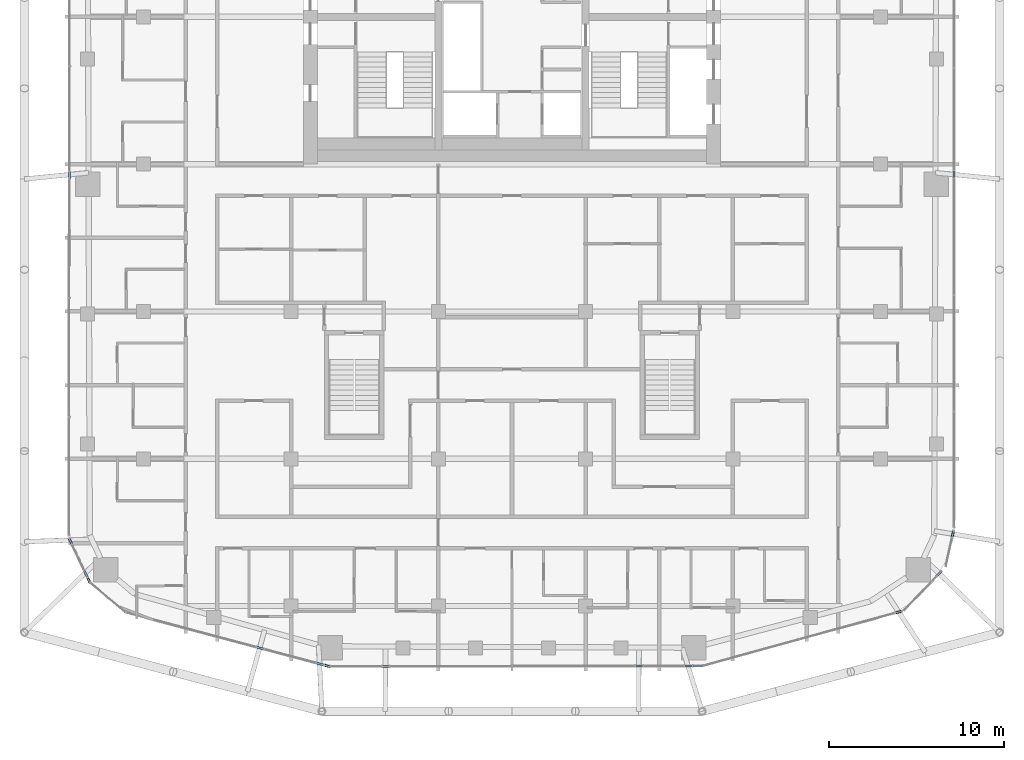
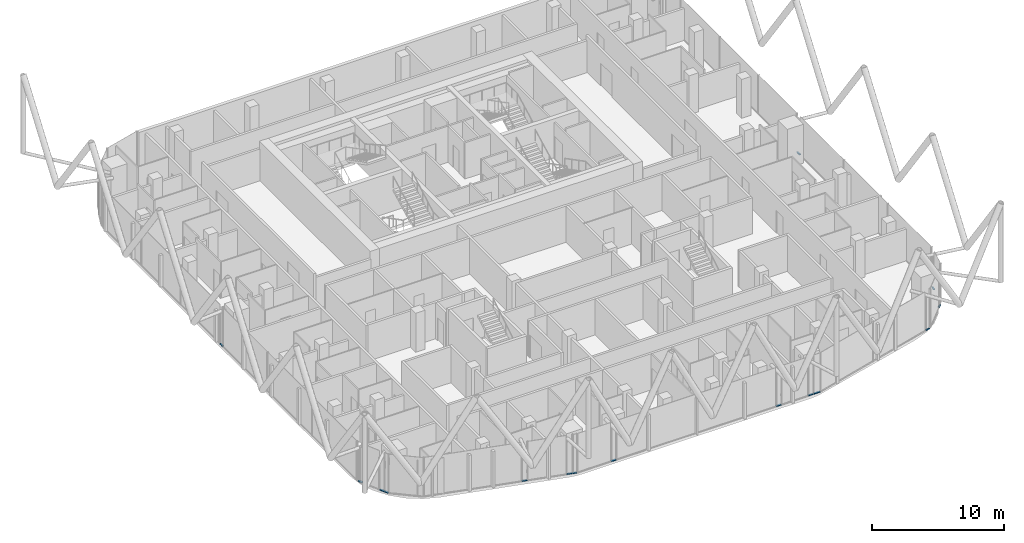
# One storey, part 12 of 31: 15 members, 15 elements without a shape of their own.
"""IFC4 building model written with IfcOpenShell, lengths in metres."""

from ifc_helpers import new_model, si_unit, direction, frame, origin, origin_2d, place, context, subcontext, project, spatial, rectangle, extrude, material, layer, layer_set, material_profile, profile_set, type_object, element, aggregate, save


model = new_model("IFC4")

# Units and contexts
model_context = context("Model", 3, precision=1e-05, world=origin(), true_north=direction((0.0, 1.0)))
body_context = subcontext(model_context, "Body", "Model", "MODEL_VIEW")
ifc_project = project(units=[si_unit("LENGTHUNIT", "METRE"), si_unit("AREAUNIT", "SQUARE_METRE"), si_unit("VOLUMEUNIT", "CUBIC_METRE"), si_unit("PLANEANGLEUNIT", "RADIAN"), si_unit("MASSUNIT", "GRAM", prefix="KILO")], contexts=[model_context])

# Site, building, storey
site_placement = place(None, origin())
site = spatial("IfcSite", under=ifc_project, at=site_placement, CompositionType="ELEMENT")
building_placement = place(site_placement, origin())
building = spatial("IfcBuilding", under=site, at=building_placement, Name="Marenta Gate Hotel Tower", CompositionType="ELEMENT")
storey_placement = place(building_placement, frame((0.0, 0.0, 220.10009765625)))
storey = spatial("IfcBuildingStorey", under=building, at=storey_placement, Name="L51", CompositionType="ELEMENT", Elevation=220.10009765625)

# Curtain wall, member
ifc_material_1 = material(Name="Tinted insulated glass in bronze anodised frame", Category="glass")
ifc_layer = layer(ifc_material_1, 0.1201171875)
ifc_layer_set = layer_set([ifc_layer], Name="Tinted insulated glass in bronze anodised frame")
curtain_wall_type = type_object("IfcCurtainWallType", Name="Tower unitised curtain wall CW1", PredefinedType="NOTDEFINED", material=ifc_layer_set)
curtain_wall_1_placement = place(storey_placement, origin())
curtain_wall_1 = element("IfcCurtainWall", 1, at=curtain_wall_1_placement, inside=storey, type_object=curtain_wall_type, Name="CW1 run G07", PredefinedType="NOTDEFINED")
ifc_material_2 = material(Name="Bronze anodised aluminium", Category="aluminium")
ifc_material_profile = material_profile(ifc_material_2, rectangle(XDim=0.1201171875, YDim=0.06005859375, at=origin_2d()), Name="Transom CW1 60x120 bronze anodised aluminium")
ifc_profile_set = profile_set([ifc_material_profile], Name="Bronze anodised aluminium")
member_type = type_object("IfcMemberType", Name="Transom CW1 60x120 bronze anodised aluminium", PredefinedType="USERDEFINED", material=ifc_profile_set)
member_1_placement = place(storey_placement, frame((-25.240478515625, -0.430419921875, 0.02978515625), z_axis=(-0.001235329508, -0.99999923698, 0.0), x_axis=(0.99999923698, -0.001235329508, 0.0)))
member_1 = element("IfcMember", 2, at=member_1_placement, type_object=member_type, Name="CW1 transom 1.1", ObjectType="TRANSOM", PredefinedType="USERDEFINED", context=body_context, shape_type="SweptSolid", body=[
    extrude(rectangle(XDim=0.1201171875, YDim=0.06005859375, at=origin_2d()), origin(), (0.0, 0.0, 1.0), 0.395263671875),
])
aggregate(curtain_wall_1, [member_1])

curtain_wall_2_placement = place(storey_placement, origin())
curtain_wall_2 = element("IfcCurtainWall", 3, at=curtain_wall_2_placement, inside=storey, type_object=curtain_wall_type, Name="CW1 run G09", PredefinedType="NOTDEFINED")
member_2_placement = place(storey_placement, frame((-25.24755859375, -21.34814453125, 0.02978515625), z_axis=(0.423272916218, -0.906002228693, 0.0), x_axis=(0.906002228693, 0.423272916218, 0.0)))
member_2 = element("IfcMember", 4, at=member_2_placement, type_object=member_type, Name="CW1 transom 1.1", ObjectType="TRANSOM", PredefinedType="USERDEFINED", context=body_context, shape_type="SweptSolid", body=[
    extrude(rectangle(XDim=0.1201171875, YDim=0.06005859375, at=origin_2d()), origin(), (0.0, 0.0, 1.0), 0.344970703125),
])
aggregate(curtain_wall_2, [member_2])

curtain_wall_3_placement = place(storey_placement, origin())
curtain_wall_3 = element("IfcCurtainWall", 5, at=curtain_wall_3_placement, inside=storey, type_object=curtain_wall_type, Name="CW1 run G11", PredefinedType="NOTDEFINED")
member_3_placement = place(storey_placement, frame((-24.406005859375, -23.149169921875, 0.02978515625), z_axis=(0.42333108841, -0.905975049097, 0.0), x_axis=(0.905975049097, 0.42333108841, 0.0)))
member_3 = element("IfcMember", 6, at=member_3_placement, type_object=member_type, Name="CW1 transom 1.1", ObjectType="TRANSOM", PredefinedType="USERDEFINED", context=body_context, shape_type="SweptSolid", body=[
    extrude(rectangle(XDim=0.1201171875, YDim=0.06005859375, at=origin_2d()), origin(), (0.0, 0.0, 1.0), 0.419921875),
])
aggregate(curtain_wall_3, [member_3])

curtain_wall_4_placement = place(storey_placement, origin())
curtain_wall_4 = element("IfcCurtainWall", 7, at=curtain_wall_4_placement, inside=storey, type_object=curtain_wall_type, Name="CW1 run G12", PredefinedType="NOTDEFINED")
member_4_placement = place(storey_placement, frame((-24.202880859375, -23.583740234375, 0.02978515625), z_axis=(0.422602733719, -0.90631502771, 0.0), x_axis=(0.90631502771, 0.422602733719, 0.0)))
member_4 = element("IfcMember", 8, at=member_4_placement, type_object=member_type, Name="CW1 transom 1.1", ObjectType="TRANSOM", PredefinedType="USERDEFINED", context=body_context, shape_type="SweptSolid", body=[
    extrude(rectangle(XDim=0.1201171875, YDim=0.06005859375, at=origin_2d()), origin(), (0.0, 0.0, 1.0), 0.28369140625),
])
aggregate(curtain_wall_4, [member_4])

curtain_wall_5_placement = place(storey_placement, origin())
curtain_wall_5 = element("IfcCurtainWall", 9, at=curtain_wall_5_placement, inside=storey, type_object=curtain_wall_type, Name="CW1 run G15", PredefinedType="NOTDEFINED")
member_5_placement = place(storey_placement, frame((-14.55029296875, -27.544677734375, 0.02978515625), z_axis=(0.966379102199, -0.257121432076, 0.0), x_axis=(0.257121432076, 0.966379102199, 0.0)))
member_5 = element("IfcMember", 10, at=member_5_placement, type_object=member_type, Name="CW1 transom 1.1", ObjectType="TRANSOM", PredefinedType="USERDEFINED", context=body_context, shape_type="SweptSolid", body=[
    extrude(rectangle(XDim=0.1201171875, YDim=0.06005859375, at=origin_2d()), origin(), (0.0, 0.0, 1.0), 0.39306640625),
])
aggregate(curtain_wall_5, [member_5])

curtain_wall_6_placement = place(storey_placement, origin())
curtain_wall_6 = element("IfcCurtainWall", 11, at=curtain_wall_6_placement, inside=storey, type_object=curtain_wall_type, Name="CW1 run G17", PredefinedType="NOTDEFINED")
member_6_placement = place(storey_placement, frame((-11.14599609375, -28.450439453125, 0.02978515625), z_axis=(0.966371226399, -0.257151031083, 0.0), x_axis=(0.257151031083, 0.966371226399, 0.0)))
member_6 = element("IfcMember", 12, at=member_6_placement, type_object=member_type, Name="CW1 transom 1.1", ObjectType="TRANSOM", PredefinedType="USERDEFINED", context=body_context, shape_type="SweptSolid", body=[
    extrude(rectangle(XDim=0.1201171875, YDim=0.06005859375, at=origin_2d()), origin(), (0.0, 0.0, 1.0), 0.415771484375),
])
aggregate(curtain_wall_6, [member_6])

curtain_wall_7_placement = place(storey_placement, origin())
curtain_wall_7 = element("IfcCurtainWall", 13, at=curtain_wall_7_placement, inside=storey, type_object=curtain_wall_type, Name="CW1 run G18", PredefinedType="NOTDEFINED")
member_7_placement = place(storey_placement, frame((-10.686279296875, -28.57275390625, 0.02978515625), z_axis=(0.966262873917, -0.257557874058, 0.0), x_axis=(0.257557874058, 0.966262873917, 0.0)))
member_7 = element("IfcMember", 14, at=member_7_placement, type_object=member_type, Name="CW1 transom 1.1", ObjectType="TRANSOM", PredefinedType="USERDEFINED", context=body_context, shape_type="SweptSolid", body=[
    extrude(rectangle(XDim=0.1201171875, YDim=0.06005859375, at=origin_2d()), origin(), (0.0, 0.0, 1.0), 0.2900390625),
])
aggregate(curtain_wall_7, [member_7])

curtain_wall_8_placement = place(storey_placement, origin())
curtain_wall_8 = element("IfcCurtainWall", 15, at=curtain_wall_8_placement, inside=storey, type_object=curtain_wall_type, Name="CW1 run G20", PredefinedType="NOTDEFINED")
member_8_placement = place(storey_placement, frame((-7.3828125, -28.642578125, 0.02978515625), z_axis=(0.99999826396, 0.001863350802, 0.0), x_axis=(-0.001863350802, 0.99999826396, 0.0)))
member_8 = element("IfcMember", 16, at=member_8_placement, type_object=member_type, Name="CW1 transom 1.1", ObjectType="TRANSOM", PredefinedType="USERDEFINED", context=body_context, shape_type="SweptSolid", body=[
    extrude(rectangle(XDim=0.1201171875, YDim=0.06005859375, at=origin_2d()), origin(), (0.0, 0.0, 1.0), 0.39306640625),
])
aggregate(curtain_wall_8, [member_8])

curtain_wall_9_placement = place(storey_placement, origin())
curtain_wall_9 = element("IfcCurtainWall", 17, at=curtain_wall_9_placement, inside=storey, type_object=curtain_wall_type, Name="CW1 run G22", PredefinedType="NOTDEFINED")
member_9_placement = place(storey_placement, frame((7.0693359375, -28.618896484375, 0.02978515625), z_axis=(0.99999826396, 0.001863350802, 0.0), x_axis=(-0.001863350802, 0.99999826396, 0.0)))
member_9 = element("IfcMember", 18, at=member_9_placement, type_object=member_type, Name="CW1 transom 1.1", ObjectType="TRANSOM", PredefinedType="USERDEFINED", context=body_context, shape_type="SweptSolid", body=[
    extrude(rectangle(XDim=0.1201171875, YDim=0.06005859375, at=origin_2d()), origin(), (0.0, 0.0, 1.0), 0.39306640625),
])
aggregate(curtain_wall_9, [member_9])

curtain_wall_10_placement = place(storey_placement, origin())
curtain_wall_10 = element("IfcCurtainWall", 19, at=curtain_wall_10_placement, inside=storey, type_object=curtain_wall_type, Name="CW1 run G24", PredefinedType="NOTDEFINED")
member_10_placement = place(storey_placement, frame((9.85498046875, -28.6142578125, 0.02978515625), z_axis=(0.9999984374, 0.001767822812, 0.0), x_axis=(-0.001767822812, 0.9999984374, 0.0)))
member_10 = element("IfcMember", 20, at=member_10_placement, type_object=member_type, Name="CW1 transom 1.1", ObjectType="TRANSOM", PredefinedType="USERDEFINED", context=body_context, shape_type="SweptSolid", body=[
    extrude(rectangle(XDim=0.1201171875, YDim=0.06005859375, at=origin_2d()), origin(), (0.0, 0.0, 1.0), 0.414306640625),
])
aggregate(curtain_wall_10, [member_10])

curtain_wall_11_placement = place(storey_placement, origin())
curtain_wall_11 = element("IfcCurtainWall", 21, at=curtain_wall_11_placement, inside=storey, type_object=curtain_wall_type, Name="CW1 run G25", PredefinedType="NOTDEFINED")
member_11_placement = place(storey_placement, frame((10.3291015625, -28.61328125, 0.02978515625), z_axis=(0.999999095908, 0.001344687265, 0.0), x_axis=(-0.001344687265, 0.999999095908, 0.0)))
member_11 = element("IfcMember", 22, at=member_11_placement, type_object=member_type, Name="CW1 transom 1.1", ObjectType="TRANSOM", PredefinedType="USERDEFINED", context=body_context, shape_type="SweptSolid", body=[
    extrude(rectangle(XDim=0.1201171875, YDim=0.06005859375, at=origin_2d()), origin(), (0.0, 0.0, 1.0), 0.544677734375),
])
aggregate(curtain_wall_11, [member_11])

curtain_wall_12_placement = place(storey_placement, origin())
curtain_wall_12 = element("IfcCurtainWall", 23, at=curtain_wall_12_placement, inside=storey, type_object=curtain_wall_type, Name="CW1 run G27", PredefinedType="NOTDEFINED")
member_12_placement = place(storey_placement, frame((21.87744140625, -25.584716796875, 0.02978515625), z_axis=(0.964240401842, 0.26502914454, 0.0), x_axis=(-0.26502914454, 0.964240401842, 0.0)))
member_12 = element("IfcMember", 24, at=member_12_placement, type_object=member_type, Name="CW1 transom 1.1", ObjectType="TRANSOM", PredefinedType="USERDEFINED", context=body_context, shape_type="SweptSolid", body=[
    extrude(rectangle(XDim=0.1201171875, YDim=0.06005859375, at=origin_2d()), origin(), (0.0, 0.0, 1.0), 0.3564453125),
])
aggregate(curtain_wall_12, [member_12])

curtain_wall_13_placement = place(storey_placement, origin())
curtain_wall_13 = element("IfcCurtainWall", 25, at=curtain_wall_13_placement, inside=storey, type_object=curtain_wall_type, Name="CW1 run G29", PredefinedType="NOTDEFINED")
member_13_placement = place(storey_placement, frame((24.244873046875, -23.461669921875, 0.02978515625), z_axis=(0.69228754022, 0.721621758026, 0.0), x_axis=(-0.721621758026, 0.69228754022, 0.0)))
member_13 = element("IfcMember", 26, at=member_13_placement, type_object=member_type, Name="CW1 transom 1.1", ObjectType="TRANSOM", PredefinedType="USERDEFINED", context=body_context, shape_type="SweptSolid", body=[
    extrude(rectangle(XDim=0.1201171875, YDim=0.06005859375, at=origin_2d()), origin(), (0.0, 0.0, 1.0), 0.3330078125),
])
aggregate(curtain_wall_13, [member_13])

curtain_wall_14_placement = place(storey_placement, origin())
curtain_wall_14 = element("IfcCurtainWall", 27, at=curtain_wall_14_placement, inside=storey, type_object=curtain_wall_type, Name="CW1 run G31", PredefinedType="NOTDEFINED")
member_14_placement = place(storey_placement, frame((25.1005859375, -21.254638671875, 0.02978515625), z_axis=(0.216620497047, 0.976255888719, 0.0), x_axis=(-0.976255888719, 0.216620497047, 0.0)))
member_14 = element("IfcMember", 28, at=member_14_placement, type_object=member_type, Name="CW1 transom 1.1", ObjectType="TRANSOM", PredefinedType="USERDEFINED", context=body_context, shape_type="SweptSolid", body=[
    extrude(rectangle(XDim=0.1201171875, YDim=0.06005859375, at=origin_2d()), origin(), (0.0, 0.0, 1.0), 0.33349609375),
])
aggregate(curtain_wall_14, [member_14])

curtain_wall_15_placement = place(storey_placement, origin())
curtain_wall_15 = element("IfcCurtainWall", 29, at=curtain_wall_15_placement, inside=storey, type_object=curtain_wall_type, Name="CW1 run G33", PredefinedType="NOTDEFINED")
member_15_placement = place(storey_placement, frame((25.214111328125, -0.762939453125, 0.02978515625), z_axis=(0.0, 1.0, 0.0), x_axis=(-1.0, 0.0, 0.0)))
member_15 = element("IfcMember", 30, at=member_15_placement, type_object=member_type, Name="CW1 transom 1.1", ObjectType="TRANSOM", PredefinedType="USERDEFINED", context=body_context, shape_type="SweptSolid", body=[
    extrude(rectangle(XDim=0.1201171875, YDim=0.06005859375, at=origin_2d()), origin(), (0.0, 0.0, 1.0), 0.39501953125),
])
aggregate(curtain_wall_15, [member_15])

save(model, "model.ifc")
